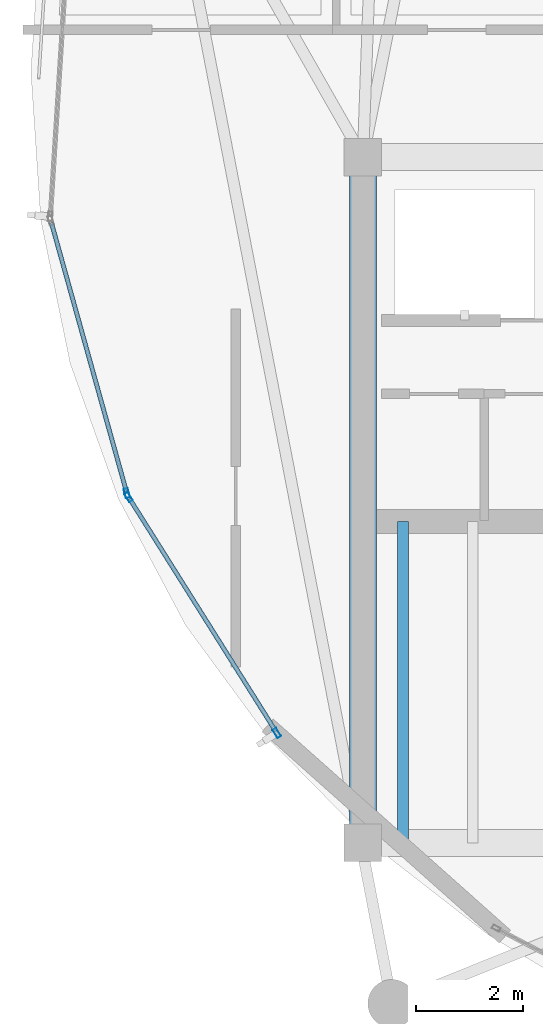
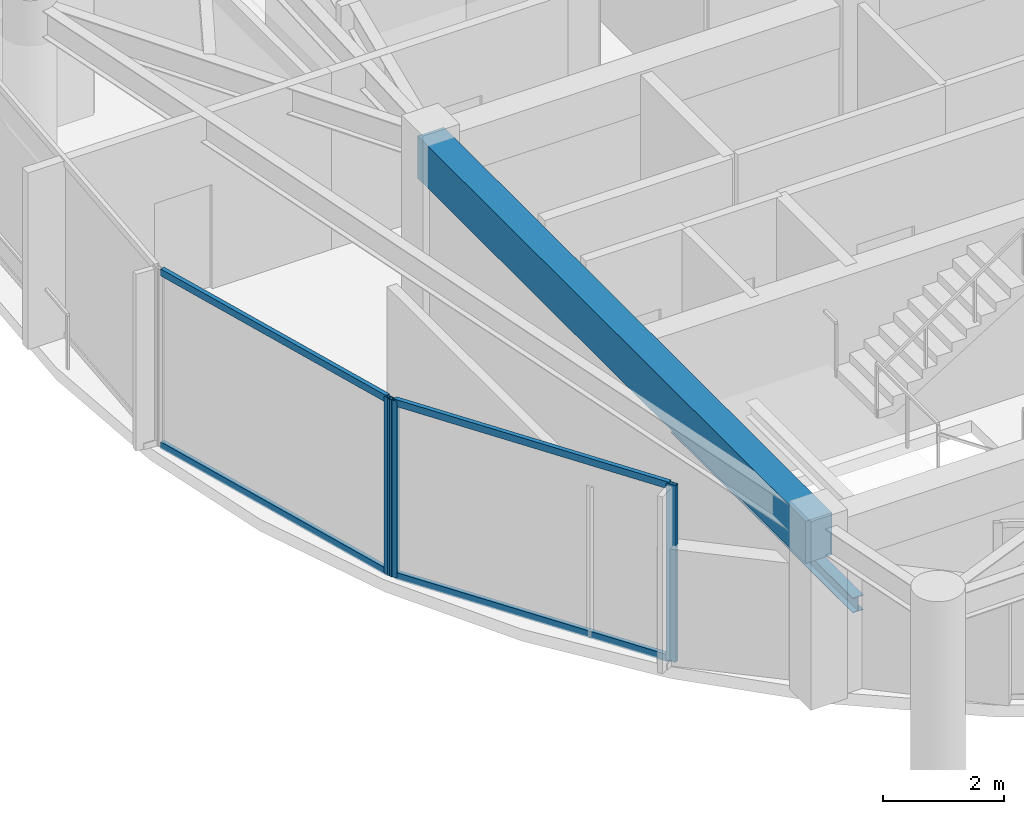
# One storey, part 3 of 30: 7 members, 2 beams, 2 elements without a shape of their own.
"""IFC4 building model written with IfcOpenShell, lengths in metres."""

from ifc_helpers import new_model, si_unit, direction, frame, origin, origin_2d, place, context, subcontext, project, spatial, rectangle, hollow_rectangle, i_section, extrude, material, layer, layer_set, material_profile, profile_set, type_object, element, aggregate, save


model = new_model("IFC4")

# Units and contexts
model_context = context("Model", 3, precision=1e-05, world=origin(), true_north=direction((0.0, 1.0)))
body_context = subcontext(model_context, "Body", "Model", "MODEL_VIEW")
ifc_project = project(units=[si_unit("LENGTHUNIT", "METRE"), si_unit("AREAUNIT", "SQUARE_METRE"), si_unit("VOLUMEUNIT", "CUBIC_METRE"), si_unit("PLANEANGLEUNIT", "RADIAN"), si_unit("MASSUNIT", "GRAM", prefix="KILO")], contexts=[model_context])

# Site, building, storey
site_placement = place(None, origin())
site = spatial("IfcSite", under=ifc_project, at=site_placement, CompositionType="ELEMENT")
building_placement = place(site_placement, origin())
building = spatial("IfcBuilding", under=site, at=building_placement, Name="Kazevale Care Tower and Concert Hall", CompositionType="ELEMENT")
storey_placement = place(building_placement, frame((0.0, 0.0, 258.60009765625)))
storey = spatial("IfcBuildingStorey", under=building, at=storey_placement, Name="L68", CompositionType="ELEMENT", Elevation=258.60009765625)

# Curtain wall, members
ifc_material_1 = material(Name="Aluminium 6063-T6 and Low-E Glass", Category="aluminium")
ifc_layer = layer(ifc_material_1, 0.179931640625)
ifc_layer_set = layer_set([ifc_layer], Name="Aluminium 6063-T6 and Low-E Glass")
curtain_wall_type = type_object("IfcCurtainWallType", Name="Waist & Upper Residential Curtain Wall CW-4", PredefinedType="NOTDEFINED", material=ifc_layer_set)
curtain_wall_1_placement = place(storey_placement, origin())
curtain_wall_1 = element("IfcCurtainWall", 1, at=curtain_wall_1_placement, inside=storey, type_object=curtain_wall_type, Name="cw:L68:f11", PredefinedType="NOTDEFINED")
ifc_material_2 = material(Name="Aluminium 6063-T6", Category="aluminium")
ifc_material_profile_1 = material_profile(ifc_material_2, hollow_rectangle(XDim=0.080078125, YDim=0.179931640625, WallThickness=0.0048828125, at=origin_2d()), Name="ALU80x180x5")
ifc_profile_set_1 = profile_set([ifc_material_profile_1], Name="Aluminium 6063-T6")
member_type_1 = type_object("IfcMemberType", Name="CW-4 Mullion ALU80x180x5", PredefinedType="MULLION", material=ifc_profile_set_1)
member_1_placement = place(storey_placement, frame((20.3916015625, 25.65087890625, 0.0), z_axis=(0.0, 0.0, 1.0), x_axis=(-0.846697503152, -0.532074560711, 0.0)))
member_1 = element("IfcMember", 2, at=member_1_placement, type_object=member_type_1, Name="CW-4 mullion 1", PredefinedType="MULLION", context=body_context, shape_type="SweptSolid", body=[
    extrude(hollow_rectangle(XDim=0.080078125, YDim=0.179931640625, WallThickness=0.0048828125, at=origin_2d()), origin(), (0.0, 0.0, 1.0), 3.559814453125),
])
member_2_placement = place(storey_placement, frame((17.625244140625, 30.05322265625, 0.0), z_axis=(0.0, 0.0, 1.0), x_axis=(-0.846697503152, -0.532074560711, 0.0)))
member_2 = element("IfcMember", 3, at=member_2_placement, type_object=member_type_1, Name="CW-4 mullion 2", PredefinedType="MULLION", context=body_context, shape_type="SweptSolid", body=[
    extrude(hollow_rectangle(XDim=0.080078125, YDim=0.179931640625, WallThickness=0.0048828125, at=origin_2d()), origin(), (0.0, 0.0, 1.0), 3.559814453125),
])

# Curtain wall, member
curtain_wall_2_placement = place(storey_placement, origin())
curtain_wall_2 = element("IfcCurtainWall", 4, at=curtain_wall_2_placement, inside=storey, type_object=curtain_wall_type, Name="cw:L68:f12", PredefinedType="NOTDEFINED")
member_3_placement = place(storey_placement, frame((17.59326171875, 30.12548828125, 0.0), z_axis=(0.0, 0.0, 1.0), x_axis=(-0.963194056491, -0.268807011704, 0.0)))
member_3 = element("IfcMember", 5, at=member_3_placement, type_object=member_type_1, Name="CW-4 mullion 1", PredefinedType="MULLION", context=body_context, shape_type="SweptSolid", body=[
    extrude(hollow_rectangle(XDim=0.080078125, YDim=0.179931640625, WallThickness=0.0048828125, at=origin_2d()), origin(), (0.0, 0.0, 1.0), 3.559814453125),
])

# Member
ifc_material_profile_2 = material_profile(ifc_material_2, hollow_rectangle(XDim=0.080078125, YDim=0.139892578125, WallThickness=0.00390625, at=origin_2d()), Name="ALU80x140x4")
ifc_profile_set_2 = profile_set([ifc_material_profile_2], Name="Aluminium 6063-T6")
member_type_2 = type_object("IfcMemberType", Name="CW-4 Transom ALU80x140x4", PredefinedType="USERDEFINED", material=ifc_profile_set_2)
member_4_placement = place(storey_placement, frame((20.370361328125, 25.684814453125, 0.039794921875), z_axis=(-0.532080710127, 0.846693638756, 0.0), x_axis=(-0.846693638756, -0.532080710127, 0.0)))
member_4 = element("IfcMember", 6, at=member_4_placement, type_object=member_type_2, Name="CW-4 transom 1.1", ObjectType="TRANSOM", PredefinedType="USERDEFINED", context=body_context, shape_type="SweptSolid", body=[
    extrude(hollow_rectangle(XDim=0.080078125, YDim=0.139892578125, WallThickness=0.00390625, at=origin_2d()), origin(), (0.0, 0.0, 1.0), 5.119384765625),
])

member_5_placement = place(storey_placement, frame((20.370361328125, 25.684814453125, 3.52001953125), z_axis=(-0.532080710127, 0.846693638756, 0.0), x_axis=(-0.846693638756, -0.532080710127, 0.0)))
member_5 = element("IfcMember", 7, at=member_5_placement, type_object=member_type_2, Name="CW-4 transom 1.2", ObjectType="TRANSOM", PredefinedType="USERDEFINED", context=body_context, shape_type="SweptSolid", body=[
    extrude(hollow_rectangle(XDim=0.080078125, YDim=0.139892578125, WallThickness=0.00390625, at=origin_2d()), origin(), (0.0, 0.0, 1.0), 5.119384765625),
])

aggregate(curtain_wall_1, [member_1, member_2, member_4, member_5])

member_6_placement = place(storey_placement, frame((17.58251953125, 30.1640625, 0.039794921875), z_axis=(-0.268792895196, 0.963197995997, 0.0), x_axis=(-0.963197995997, -0.268792895196, 0.0)))
member_6 = element("IfcMember", 8, at=member_6_placement, type_object=member_type_2, Name="CW-4 transom 1.1", ObjectType="TRANSOM", PredefinedType="USERDEFINED", context=body_context, shape_type="SweptSolid", body=[
    extrude(hollow_rectangle(XDim=0.080078125, YDim=0.139892578125, WallThickness=0.00390625, at=origin_2d()), origin(), (0.0, 0.0, 1.0), 5.20458984375),
])

member_7_placement = place(storey_placement, frame((17.58251953125, 30.1640625, 3.52001953125), z_axis=(-0.268792895196, 0.963197995997, 0.0), x_axis=(-0.963197995997, -0.268792895196, 0.0)))
member_7 = element("IfcMember", 9, at=member_7_placement, type_object=member_type_2, Name="CW-4 transom 1.2", ObjectType="TRANSOM", PredefinedType="USERDEFINED", context=body_context, shape_type="SweptSolid", body=[
    extrude(hollow_rectangle(XDim=0.080078125, YDim=0.139892578125, WallThickness=0.00390625, at=origin_2d()), origin(), (0.0, 0.0, 1.0), 5.20458984375),
])

aggregate(curtain_wall_2, [member_3, member_6, member_7])

# Beams
ifc_material_3 = material(Name="Concrete C60", Category="concrete")
ifc_material_profile_3 = material_profile(ifc_material_3, rectangle(XDim=0.5, YDim=0.85009765625, at=origin_2d()), Name="RC-B500x850")
ifc_profile_set_3 = profile_set([ifc_material_profile_3], Name="Concrete C60")
beam_type_1 = type_object("IfcBeamType", Name="Core Coupling Beam RC500x850", PredefinedType="LINTEL", material=ifc_profile_set_3)
beam_1_placement = place(storey_placement, frame((22.0, 36.39990234375, 3.135009765625), z_axis=(0.0, -1.0, 0.0), x_axis=(1.0, 0.0, 0.0)))
element("IfcBeam", 10, at=beam_1_placement, inside=storey, type_object=beam_type_1, Name="beam:L68:coretie:8", PredefinedType="LINTEL", context=body_context, shape_type="SweptSolid", body=[
    extrude(rectangle(XDim=0.5, YDim=0.85009765625, at=origin_2d()), origin(), (0.0, 0.0, 1.0), 12.7998046875),
])
ifc_material_4 = material(Name="Steel ASTM A572 Gr 50", Category="steel")
ifc_material_profile_4 = material_profile(ifc_material_4, i_section(OverallWidth=0.202880859375, OverallDepth=0.302978515625, WebThickness=0.007568359375, FlangeThickness=0.01318359375, at=origin_2d()), Name="W310x60")
ifc_profile_set_4 = profile_set([ifc_material_profile_4], Name="Steel ASTM A572 Gr 50")
beam_type_2 = type_object("IfcBeamType", Name="Stair & Balcony Trimmer W310x60", PredefinedType="BEAM", material=ifc_profile_set_4)
beam_2_placement = place(storey_placement, frame((22.75, 23.60009765625, 1.54833984375), z_axis=(0.0, 1.0, 0.0), x_axis=(-1.0, 0.0, 0.0)))
element("IfcBeam", 11, at=beam_2_placement, inside=storey, type_object=beam_type_2, Name="beam:L68:sttrim:ST1", PredefinedType="BEAM", context=body_context, shape_type="SweptSolid", body=[
    extrude(i_section(OverallWidth=0.202880859375, OverallDepth=0.302978515625, WebThickness=0.007568359375, FlangeThickness=0.01318359375, at=origin_2d()), origin(), (0.0, 0.0, 1.0), 6.0),
])

save(model, "model.ifc")
